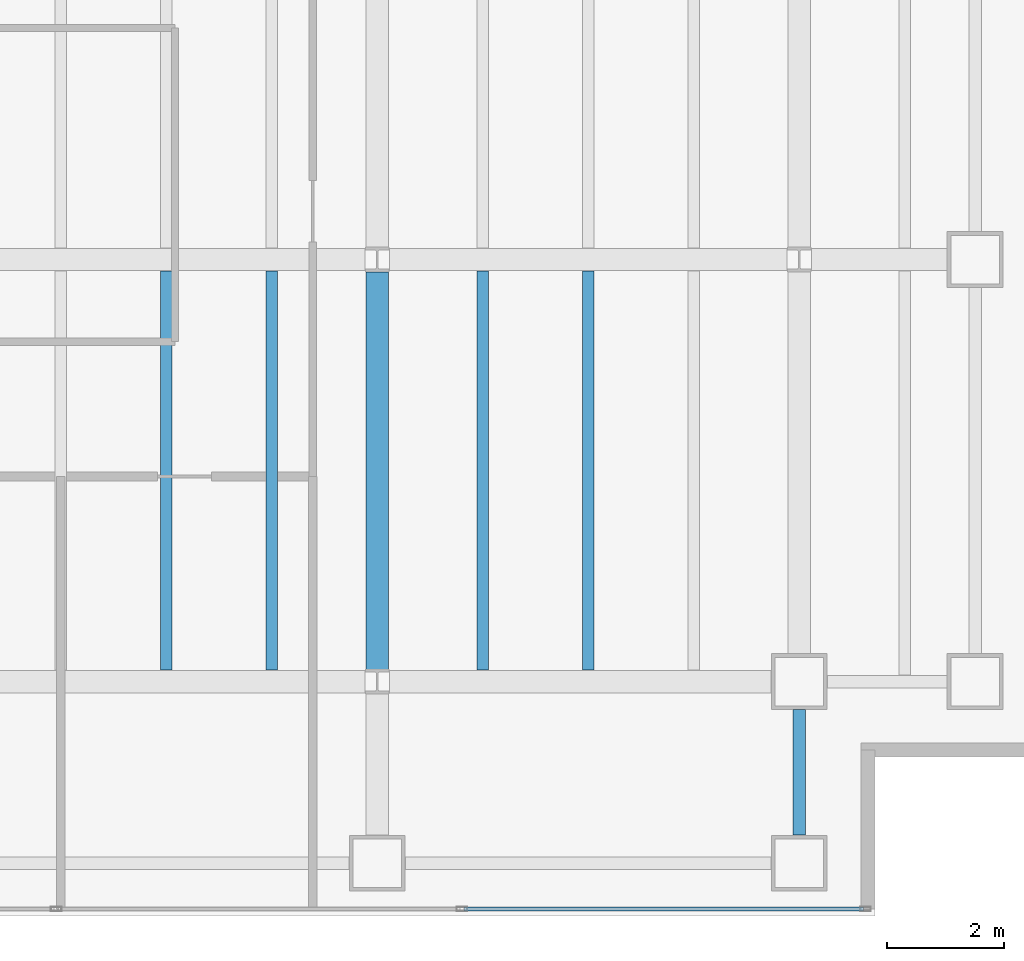
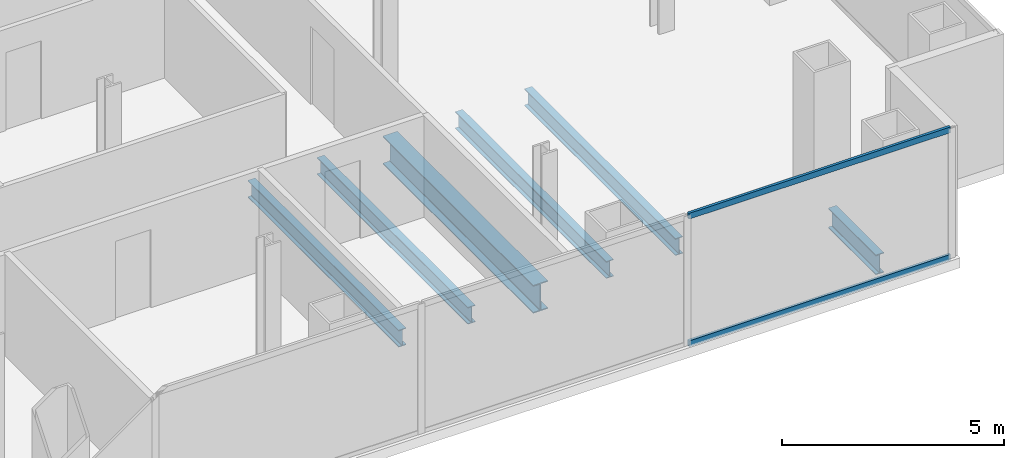
# One storey, part 10 of 23: 6 beams, 2 members, 1 element without a shape of its own.
"""IFC4 building model written with IfcOpenShell, lengths in metres."""

from ifc_helpers import new_model, si_unit, direction, frame, origin, origin_2d, place, context, subcontext, project, spatial, hollow_rectangle, i_section, extrude, material, material_profile, profile_set, type_object, element, aggregate, save


model = new_model("IFC4")

# Units and contexts
model_context = context("Model", 3, precision=1e-05, world=origin(), true_north=direction((0.0, 1.0)))
body_context = subcontext(model_context, "Body", "Model", "MODEL_VIEW")
ifc_project = project(units=[si_unit("LENGTHUNIT", "METRE"), si_unit("AREAUNIT", "SQUARE_METRE"), si_unit("VOLUMEUNIT", "CUBIC_METRE"), si_unit("PLANEANGLEUNIT", "RADIAN"), si_unit("MASSUNIT", "GRAM", prefix="KILO")], contexts=[model_context])

# Site, building, storey
site_placement = place(None, origin())
site = spatial("IfcSite", under=ifc_project, at=site_placement, CompositionType="ELEMENT")
building_placement = place(site_placement, origin())
building = spatial("IfcBuilding", under=site, at=building_placement, Name="Cobrela Telecom Tower", CompositionType="ELEMENT")
storey_placement = place(building_placement, frame((0.0, 0.0, 109.89990234375)))
storey = spatial("IfcBuildingStorey", under=building, at=storey_placement, Name="L27", CompositionType="ELEMENT", Elevation=109.89990234375)

# Beams
ifc_material_1 = material(Name="Steel ASTM A992 Grade 50", Category="steel")
ifc_material_profile_1 = material_profile(ifc_material_1, i_section(OverallWidth=0.381103515625, OverallDepth=0.77197265625, WebThickness=0.0166015625, FlangeThickness=0.027099609375, FilletRadius=0.01904296875, at=origin_2d()), Name="W30X173")
ifc_profile_set_1 = profile_set([ifc_material_profile_1], Name="Steel ASTM A992 Grade 50")
beam_type_1 = type_object("IfcBeamType", Name="BM-GIRD-04", PredefinedType="USERDEFINED", material=ifc_profile_set_1)
beam_1_placement = place(storey_placement, frame((36.0, 7.409423828125, -0.656005859375), z_axis=(0.0, 1.0, 0.0), x_axis=(-1.0, 0.0, 0.0)))
element("IfcBeam", 1, at=beam_1_placement, inside=storey, type_object=beam_type_1, Name="L27 Primary Girder Y50", ObjectType="GIRDER", PredefinedType="USERDEFINED", context=body_context, shape_type="SweptSolid", body=[
    extrude(i_section(OverallWidth=0.381103515625, OverallDepth=0.77197265625, WebThickness=0.0166015625, FlangeThickness=0.027099609375, FilletRadius=0.01904296875, at=origin_2d()), origin(), (0.0, 0.0, 1.0), 6.781005859375),
])
ifc_material_profile_2 = material_profile(ifc_material_1, i_section(OverallWidth=0.193115234375, OverallDepth=0.467041015625, WebThickness=0.011474609375, FlangeThickness=0.01904296875, FilletRadius=0.012939453125, at=origin_2d()), Name="W18X65")
ifc_profile_set_2 = profile_set([ifc_material_profile_2], Name="Steel ASTM A992 Grade 50")
beam_type_2 = type_object("IfcBeamType", Name="BM-JOIST-03", PredefinedType="JOIST", material=ifc_profile_set_2)
for number, where, z_axis, x_axis, name in (
    (2, (32.39990234375, 7.3955078125, -0.50341796875), (0.0, 1.0, 0.0), (-1.0, 0.0, 0.0), "L27 Secondary Composite Floor Beam J29"),
    (3, (34.199951171875, 7.3955078125, -0.50341796875), (0.0, 1.0, 0.0), (-1.0, 0.0, 0.0), "L27 Secondary Composite Floor Beam J31"),
    (4, (37.800048828125, 7.3955078125, -0.50341796875), (0.0, 1.0, 0.0), (-1.0, 0.0, 0.0), "L27 Secondary Composite Floor Beam J33"),
    (5, (39.60009765625, 7.3955078125, -0.50341796875), (0.0, 1.0, 0.0), (-1.0, 0.0, 0.0), "L27 Secondary Composite Floor Beam J35"),
):
    element("IfcBeam", number, at=place(storey_placement, frame(where, z_axis=z_axis, x_axis=x_axis)), inside=storey, type_object=beam_type_2, Name=name, PredefinedType="JOIST", context=body_context, shape_type="SweptSolid", body=[
        extrude(i_section(OverallWidth=0.193115234375, OverallDepth=0.467041015625, WebThickness=0.011474609375, FlangeThickness=0.01904296875, FilletRadius=0.012939453125, at=origin_2d()), origin(), (0.0, 0.0, 1.0), 6.80908203125),
    ])
ifc_material_profile_3 = material_profile(ifc_material_1, i_section(OverallWidth=0.212890625, OverallDepth=0.549072265625, WebThickness=0.0146484375, FlangeThickness=0.023681640625, FilletRadius=0.013916015625, at=origin_2d()), Name="W21X93")
ifc_profile_set_3 = profile_set([ifc_material_profile_3], Name="Steel ASTM A992 Grade 50")
beam_type_3 = type_object("IfcBeamType", Name="BM-SPAND-03", PredefinedType="SPANDREL", material=ifc_profile_set_3)
beam_2_placement = place(storey_placement, frame((43.199951171875, 4.580078125, -0.54443359375), z_axis=(0.0, 1.0, 0.0), x_axis=(-1.0, 0.0, 0.0)))
element("IfcBeam", 6, at=beam_2_placement, inside=storey, type_object=beam_type_3, Name="L27 Perimeter Spandrel Y52", PredefinedType="SPANDREL", context=body_context, shape_type="SweptSolid", body=[
    extrude(i_section(OverallWidth=0.212890625, OverallDepth=0.549072265625, WebThickness=0.0146484375, FlangeThickness=0.023681640625, FilletRadius=0.013916015625, at=origin_2d()), origin(), (0.0, 0.0, 1.0), 2.139892578125),
])

# Curtain wall, members
ifc_material_2 = material(Name="Anodized Bronze Aluminium 6063-T6", Category="aluminium")
curtain_wall_type = type_object("IfcCurtainWallType", Name="CW-SYS-TEL", PredefinedType="USERDEFINED", material=ifc_material_2)
curtain_wall_placement = place(storey_placement, origin())
curtain_wall = element("IfcCurtainWall", 7, at=curtain_wall_placement, inside=storey, type_object=curtain_wall_type, Name="L27 Unitised Bronze Curtain Wall 17", ObjectType="UNITISED CURTAIN WALL", PredefinedType="USERDEFINED")
ifc_material_profile_4 = material_profile(ifc_material_2, hollow_rectangle(XDim=0.070068359375, YDim=0.159912109375, WallThickness=0.00390625, at=origin_2d()), Name="ALU 70x160x4")
ifc_profile_set_4 = profile_set([ifc_material_profile_4], Name="Anodized Bronze Aluminium 6063-T6")
member_type = type_object("IfcMemberType", Name="CW-SYS-TEL-TRN", PredefinedType="USERDEFINED", material=ifc_profile_set_4)
member_1_placement = place(storey_placement, frame((44.294921875, 3.320068359375, 0.03515625), z_axis=(-1.0, 0.0, 0.0), x_axis=(0.0, -1.0, 0.0)))
member_1 = element("IfcMember", 8, at=member_1_placement, type_object=member_type, Name="CW-TEL transom 1.1", ObjectType="TRANSOM", PredefinedType="USERDEFINED", context=body_context, shape_type="SweptSolid", body=[
    extrude(hollow_rectangle(XDim=0.070068359375, YDim=0.159912109375, WallThickness=0.00390625, at=origin_2d()), origin(), (0.0, 0.0, 1.0), 6.810791015625),
])
member_2_placement = place(storey_placement, frame((44.294921875, 3.320068359375, 3.545166015625), z_axis=(-1.0, 0.0, 0.0), x_axis=(0.0, -1.0, 0.0)))
member_2 = element("IfcMember", 9, at=member_2_placement, type_object=member_type, Name="CW-TEL transom 1.2", ObjectType="TRANSOM", PredefinedType="USERDEFINED", context=body_context, shape_type="SweptSolid", body=[
    extrude(hollow_rectangle(XDim=0.070068359375, YDim=0.159912109375, WallThickness=0.00390625, at=origin_2d()), origin(), (0.0, 0.0, 1.0), 6.810791015625),
])
aggregate(curtain_wall, [member_1, member_2])

save(model, "model.ifc")
